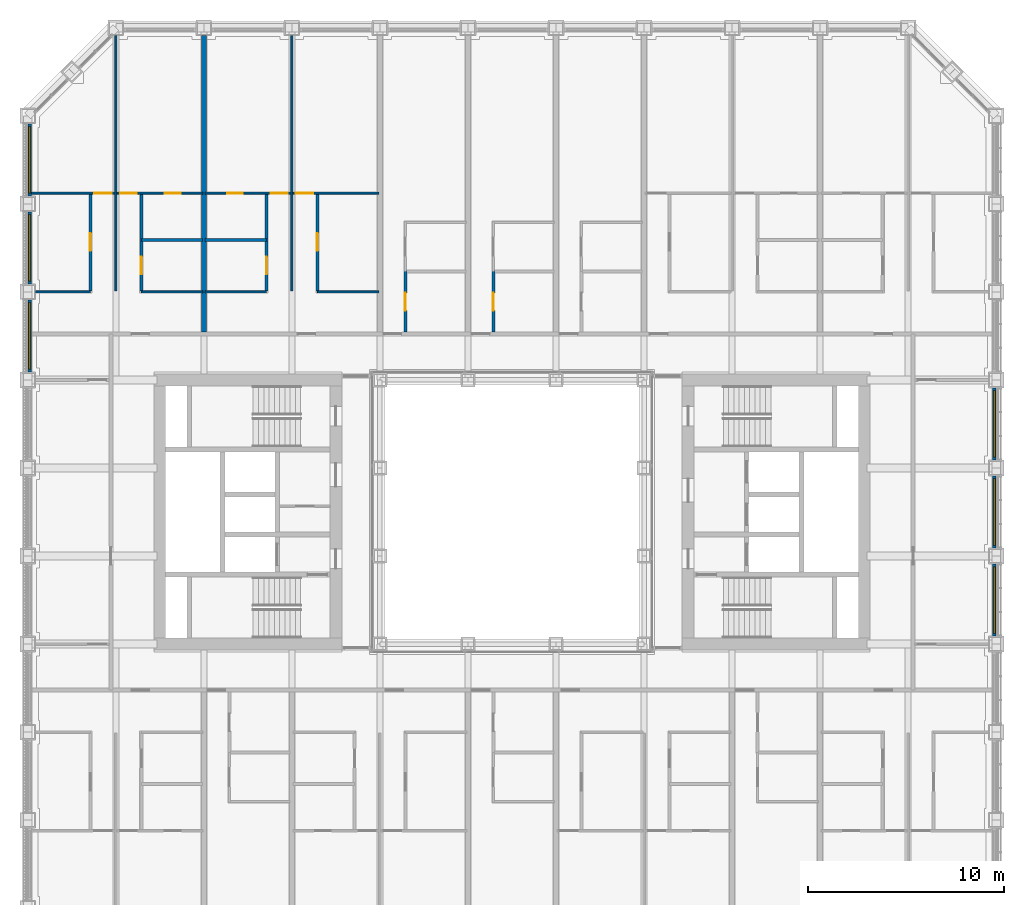
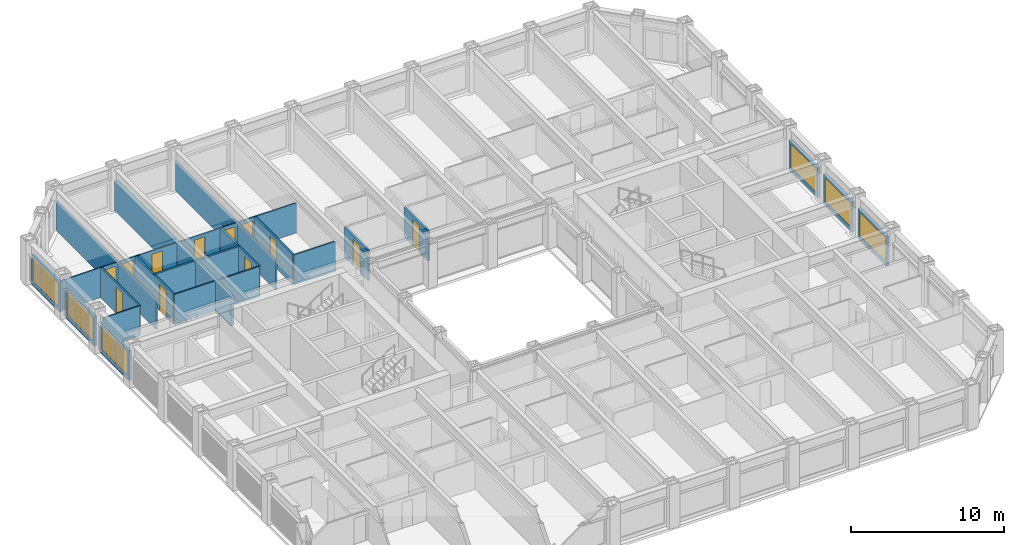
# One storey, part 13 of 21: 25 walls, 12 doors, 6 windows, 18 openings.
"""IFC4 building model written with IfcOpenShell, lengths in metres."""

from ifc_helpers import new_model, si_unit, direction, frame, frame_2d, origin, place, context, subcontext, project, spatial, rectangle, extrude, material, layer, layer_set, type_object, element, fill, save


model = new_model("IFC4")

# Units and contexts
model_context = context("Model", 3, precision=1e-05, world=origin(), true_north=direction((0.0, 1.0)))
body_context = subcontext(model_context, "Body", "Model", "MODEL_VIEW")
ifc_project = project(units=[si_unit("LENGTHUNIT", "METRE"), si_unit("AREAUNIT", "SQUARE_METRE"), si_unit("VOLUMEUNIT", "CUBIC_METRE"), si_unit("PLANEANGLEUNIT", "RADIAN"), si_unit("MASSUNIT", "GRAM", prefix="KILO")], contexts=[model_context])

# Site, building, storey
site_placement = place(None, origin())
site = spatial("IfcSite", under=ifc_project, at=site_placement, CompositionType="ELEMENT")
building_placement = place(site_placement, origin())
building = spatial("IfcBuilding", under=site, at=building_placement, Name="Msasa Ring Tower", CompositionType="ELEMENT")
storey_placement = place(building_placement, frame((0.0, 0.0, 37.0)))
storey = spatial("IfcBuildingStorey", under=building, at=storey_placement, Name="L08", CompositionType="ELEMENT", Elevation=37.0)

# Wall, opening, window
ifc_material_1 = material(Name="Terracotta rainscreen on blockwork", Category="masonry")
ifc_layer_1 = layer(ifc_material_1, 0.199951171875)
ifc_layer_set_1 = layer_set([ifc_layer_1], Name="FW1 TERRACOTTA-LINED INFILL BAY WALL 200")
wall_type_1 = type_object("IfcWallType", Name="FW1 TERRACOTTA-LINED INFILL BAY WALL 200", PredefinedType="SOLIDWALL", material=ifc_layer_set_1)
wall_1_placement = place(storey_placement, frame((24.64990234375, -6.344970703125, 0.0), z_axis=(0.0, 0.0, 1.0), x_axis=(0.0, 1.0, 0.0)))
wall_1 = element("IfcWall", 1, at=wall_1_placement, inside=storey, type_object=wall_type_1, Name="Infill bay wall E L08 14", PredefinedType="SOLIDWALL", context=body_context, shape_type="SweptSolid", body=[
    extrude(rectangle(XDim=3.68994140625, YDim=0.199951171875, at=frame_2d((1.844970703125, 0.0))), origin(), (0.0, 0.0, 1.0), 2.37890625),
])
opening_1_placement = place(wall_1_placement, frame((0.14501953125, 0.0, 0.300048828125)))
opening_1 = element("IfcOpeningElement", 2, at=opening_1_placement, cuts=wall_1, Name="Opening WN1", PredefinedType="OPENING", context=body_context, shape_type="SweptSolid", body=[
    extrude(rectangle(XDim=3.39990234375, YDim=1.928955078125, at=frame_2d((1.699951171875, 0.96435546875))), frame((0.0, 0.10986328125, 0.0), z_axis=(0.0, -1.0, 0.0), x_axis=(1.0, 0.0, 0.0)), (0.0, 0.0, 1.0), 0.219970703125),
])
ifc_material_2 = material(Name="Aluminium frame with clear glass", Category="aluminium")
window_type = type_object("IfcWindowType", Name="WN1 RESIDENCE WINDOW 3400x1929", PartitioningType="SINGLE_PANEL", PredefinedType="WINDOW", material=ifc_material_2)
window_1_placement = place(opening_1_placement, origin())
window_1 = element("IfcWindow", 3, at=window_1_placement, inside=storey, type_object=window_type, Name="Window E L08 14", OverallHeight=1.928955078125, OverallWidth=3.39990234375, PartitioningType="SINGLE_PANEL", PredefinedType="WINDOW", context=body_context, shape_type="SweptSolid", body=[
    extrude(rectangle(XDim=3.39990234375, YDim=1.928955078125, at=frame_2d((1.699951171875, 0.96435546875))), frame((0.0, 0.030029296875, 0.0), z_axis=(0.0, -1.0, 0.0), x_axis=(1.0, 0.0, 0.0)), (0.0, 0.0, 1.0), 0.06005859375),
])
fill(opening_1, window_1)

wall_2_placement = place(storey_placement, frame((24.64990234375, -1.844970703125, 0.0), z_axis=(0.0, 0.0, 1.0), x_axis=(0.0, 1.0, 0.0)))
wall_2 = element("IfcWall", 4, at=wall_2_placement, inside=storey, type_object=wall_type_1, Name="Infill bay wall E L08 15", PredefinedType="SOLIDWALL", context=body_context, shape_type="SweptSolid", body=[
    extrude(rectangle(XDim=3.68994140625, YDim=0.199951171875, at=frame_2d((1.844970703125, 0.0))), origin(), (0.0, 0.0, 1.0), 2.37890625),
])
opening_2_placement = place(wall_2_placement, frame((0.14501953125, 0.0, 0.300048828125)))
opening_2 = element("IfcOpeningElement", 5, at=opening_2_placement, cuts=wall_2, Name="Opening WN1", PredefinedType="OPENING", context=body_context, shape_type="SweptSolid", body=[
    extrude(rectangle(XDim=3.39990234375, YDim=1.928955078125, at=frame_2d((1.699951171875, 0.96435546875))), frame((0.0, 0.10986328125, 0.0), z_axis=(0.0, -1.0, 0.0), x_axis=(1.0, 0.0, 0.0)), (0.0, 0.0, 1.0), 0.219970703125),
])
window_2_placement = place(opening_2_placement, origin())
window_2 = element("IfcWindow", 6, at=window_2_placement, inside=storey, type_object=window_type, Name="Window E L08 15", OverallHeight=1.928955078125, OverallWidth=3.39990234375, PartitioningType="SINGLE_PANEL", PredefinedType="WINDOW", context=body_context, shape_type="SweptSolid", body=[
    extrude(rectangle(XDim=3.39990234375, YDim=1.928955078125, at=frame_2d((1.699951171875, 0.96435546875))), frame((0.0, 0.030029296875, 0.0), z_axis=(0.0, -1.0, 0.0), x_axis=(1.0, 0.0, 0.0)), (0.0, 0.0, 1.0), 0.06005859375),
])
fill(opening_2, window_2)

wall_3_placement = place(storey_placement, frame((24.64990234375, 2.655029296875, 0.0), z_axis=(0.0, 0.0, 1.0), x_axis=(0.0, 1.0, 0.0)))
wall_3 = element("IfcWall", 7, at=wall_3_placement, inside=storey, type_object=wall_type_1, Name="Infill bay wall E L08 16", PredefinedType="SOLIDWALL", context=body_context, shape_type="SweptSolid", body=[
    extrude(rectangle(XDim=3.68994140625, YDim=0.199951171875, at=frame_2d((1.844970703125, 0.0))), origin(), (0.0, 0.0, 1.0), 2.37890625),
])
opening_3_placement = place(wall_3_placement, frame((0.14501953125, 0.0, 0.300048828125)))
opening_3 = element("IfcOpeningElement", 8, at=opening_3_placement, cuts=wall_3, Name="Opening WN1", PredefinedType="OPENING", context=body_context, shape_type="SweptSolid", body=[
    extrude(rectangle(XDim=3.39990234375, YDim=1.928955078125, at=frame_2d((1.699951171875, 0.96435546875))), frame((0.0, 0.10986328125, 0.0), z_axis=(0.0, -1.0, 0.0), x_axis=(1.0, 0.0, 0.0)), (0.0, 0.0, 1.0), 0.219970703125),
])
window_3_placement = place(opening_3_placement, origin())
window_3 = element("IfcWindow", 9, at=window_3_placement, inside=storey, type_object=window_type, Name="Window E L08 16", OverallHeight=1.928955078125, OverallWidth=3.39990234375, PartitioningType="SINGLE_PANEL", PredefinedType="WINDOW", context=body_context, shape_type="SweptSolid", body=[
    extrude(rectangle(XDim=3.39990234375, YDim=1.928955078125, at=frame_2d((1.699951171875, 0.96435546875))), frame((0.0, 0.030029296875, 0.0), z_axis=(0.0, -1.0, 0.0), x_axis=(1.0, 0.0, 0.0)), (0.0, 0.0, 1.0), 0.06005859375),
])
fill(opening_3, window_3)

wall_4_placement = place(storey_placement, frame((-24.64990234375, 7.155029296875, 0.0), z_axis=(0.0, 0.0, 1.0), x_axis=(0.0, 1.0, 0.0)))
wall_4 = element("IfcWall", 10, at=wall_4_placement, inside=storey, type_object=wall_type_1, Name="Infill bay wall W L08 39", PredefinedType="SOLIDWALL", context=body_context, shape_type="SweptSolid", body=[
    extrude(rectangle(XDim=3.68994140625, YDim=0.199951171875, at=frame_2d((1.844970703125, 0.0))), origin(), (0.0, 0.0, 1.0), 2.37890625),
])
opening_4_placement = place(wall_4_placement, frame((0.14501953125, 0.0, 0.300048828125)))
opening_4 = element("IfcOpeningElement", 11, at=opening_4_placement, cuts=wall_4, Name="Opening WN1", PredefinedType="OPENING", context=body_context, shape_type="SweptSolid", body=[
    extrude(rectangle(XDim=3.39990234375, YDim=1.928955078125, at=frame_2d((1.699951171875, 0.96435546875))), frame((0.0, 0.10986328125, 0.0), z_axis=(0.0, -1.0, 0.0), x_axis=(1.0, 0.0, 0.0)), (0.0, 0.0, 1.0), 0.219970703125),
])
window_4_placement = place(opening_4_placement, origin())
window_4 = element("IfcWindow", 12, at=window_4_placement, inside=storey, type_object=window_type, Name="Window W L08 39", OverallHeight=1.928955078125, OverallWidth=3.39990234375, PartitioningType="SINGLE_PANEL", PredefinedType="WINDOW", context=body_context, shape_type="SweptSolid", body=[
    extrude(rectangle(XDim=3.39990234375, YDim=1.928955078125, at=frame_2d((1.699951171875, 0.96435546875))), frame((0.0, 0.030029296875, 0.0), z_axis=(0.0, -1.0, 0.0), x_axis=(1.0, 0.0, 0.0)), (0.0, 0.0, 1.0), 0.06005859375),
])
fill(opening_4, window_4)

wall_5_placement = place(storey_placement, frame((-24.64990234375, 11.655029296875, 0.0), z_axis=(0.0, 0.0, 1.0), x_axis=(0.0, 1.0, 0.0)))
wall_5 = element("IfcWall", 13, at=wall_5_placement, inside=storey, type_object=wall_type_1, Name="Infill bay wall W L08 40", PredefinedType="SOLIDWALL", context=body_context, shape_type="SweptSolid", body=[
    extrude(rectangle(XDim=3.68994140625, YDim=0.199951171875, at=frame_2d((1.844970703125, 0.0))), origin(), (0.0, 0.0, 1.0), 2.37890625),
])
opening_5_placement = place(wall_5_placement, frame((0.14501953125, 0.0, 0.300048828125)))
opening_5 = element("IfcOpeningElement", 14, at=opening_5_placement, cuts=wall_5, Name="Opening WN1", PredefinedType="OPENING", context=body_context, shape_type="SweptSolid", body=[
    extrude(rectangle(XDim=3.39990234375, YDim=1.928955078125, at=frame_2d((1.699951171875, 0.96435546875))), frame((0.0, 0.10986328125, 0.0), z_axis=(0.0, -1.0, 0.0), x_axis=(1.0, 0.0, 0.0)), (0.0, 0.0, 1.0), 0.219970703125),
])
window_5_placement = place(opening_5_placement, origin())
window_5 = element("IfcWindow", 15, at=window_5_placement, inside=storey, type_object=window_type, Name="Window W L08 40", OverallHeight=1.928955078125, OverallWidth=3.39990234375, PartitioningType="SINGLE_PANEL", PredefinedType="WINDOW", context=body_context, shape_type="SweptSolid", body=[
    extrude(rectangle(XDim=3.39990234375, YDim=1.928955078125, at=frame_2d((1.699951171875, 0.96435546875))), frame((0.0, 0.030029296875, 0.0), z_axis=(0.0, -1.0, 0.0), x_axis=(1.0, 0.0, 0.0)), (0.0, 0.0, 1.0), 0.06005859375),
])
fill(opening_5, window_5)

wall_6_placement = place(storey_placement, frame((-24.64990234375, 16.155029296875, 0.0), z_axis=(0.0, 0.0, 1.0), x_axis=(0.0, 1.0, 0.0)))
wall_6 = element("IfcWall", 16, at=wall_6_placement, inside=storey, type_object=wall_type_1, Name="Infill bay wall W L08 41", PredefinedType="SOLIDWALL", context=body_context, shape_type="SweptSolid", body=[
    extrude(rectangle(XDim=3.68994140625, YDim=0.199951171875, at=frame_2d((1.844970703125, 0.0))), origin(), (0.0, 0.0, 1.0), 2.37890625),
])
opening_6_placement = place(wall_6_placement, frame((0.14501953125, 0.0, 0.300048828125)))
opening_6 = element("IfcOpeningElement", 17, at=opening_6_placement, cuts=wall_6, Name="Opening WN1", PredefinedType="OPENING", context=body_context, shape_type="SweptSolid", body=[
    extrude(rectangle(XDim=3.39990234375, YDim=1.928955078125, at=frame_2d((1.699951171875, 0.96435546875))), frame((0.0, 0.10986328125, 0.0), z_axis=(0.0, -1.0, 0.0), x_axis=(1.0, 0.0, 0.0)), (0.0, 0.0, 1.0), 0.219970703125),
])
window_6_placement = place(opening_6_placement, origin())
window_6 = element("IfcWindow", 18, at=window_6_placement, inside=storey, type_object=window_type, Name="Window W L08 41", OverallHeight=1.928955078125, OverallWidth=3.39990234375, PartitioningType="SINGLE_PANEL", PredefinedType="WINDOW", context=body_context, shape_type="SweptSolid", body=[
    extrude(rectangle(XDim=3.39990234375, YDim=1.928955078125, at=frame_2d((1.699951171875, 0.96435546875))), frame((0.0, 0.030029296875, 0.0), z_axis=(0.0, -1.0, 0.0), x_axis=(1.0, 0.0, 0.0)), (0.0, 0.0, 1.0), 0.06005859375),
])
fill(opening_6, window_6)

# Wall
ifc_material_3 = material(Name="Gypsum board on steel studs", Category="steel")
ifc_layer_2 = layer(ifc_material_3, 0.10009765625)
ifc_layer_set_2 = layer_set([ifc_layer_2], Name="PT2 STUD PARTITION 100")
wall_type_2 = type_object("IfcWallType", Name="PT2 STUD PARTITION 100", PredefinedType="PARTITIONING", material=ifc_layer_set_2)
wall_7_placement = place(storey_placement, frame((-24.35009765625, 11.25, 0.0), z_axis=(0.0, 0.0, 1.0), x_axis=(1.0, 0.0, 0.0)))
element("IfcWall", 19, at=wall_7_placement, inside=storey, type_object=wall_type_2, Name="Partition L08-UN00HY0", PredefinedType="PARTITIONING", context=body_context, shape_type="SweptSolid", body=[
    extrude(rectangle(XDim=2.800048828125, YDim=0.10009765625, at=frame_2d((1.39990234375, 0.0))), origin(), (0.0, 0.0, 1.0), 2.373291015625),
])

# Wall, opening, door
wall_8_placement = place(storey_placement, frame((-24.550048828125, 16.300048828125, 0.0), z_axis=(0.0, 0.0, 1.0), x_axis=(1.0, 0.0, 0.0)))
wall_8 = element("IfcWall", 20, at=wall_8_placement, inside=storey, type_object=wall_type_2, Name="Partition L08-UN00SY0", PredefinedType="PARTITIONING", context=body_context, shape_type="SweptSolid", body=[
    extrude(rectangle(XDim=4.25, YDim=0.10009765625, at=frame_2d((2.125, 0.0))), origin(), (0.0, 0.0, 1.0), 2.373291015625),
])
opening_7_placement = place(wall_8_placement, frame((3.199951171875, 0.0, 0.0)))
opening_7 = element("IfcOpeningElement", 21, at=opening_7_placement, cuts=wall_8, Name="Opening RB-001", PredefinedType="OPENING", context=body_context, shape_type="SweptSolid", body=[
    extrude(rectangle(XDim=0.89990234375, YDim=2.10009765625, at=frame_2d((0.449951171875, 1.050048828125))), frame((0.0, 0.06005859375, 0.0), z_axis=(0.0, -1.0, 0.0), x_axis=(1.0, 0.0, 0.0)), (0.0, 0.0, 1.0), 0.1201171875),
])
ifc_material_4 = material(Name="Timber door leaf in a steel frame", Category="steel")
door_type_1 = type_object("IfcDoorType", Name="D22 INTERNAL HALL DOOR 900x2100", OperationType="SINGLE_SWING_LEFT", PredefinedType="DOOR", material=ifc_material_4)
door_1_placement = place(opening_7_placement, origin())
door_1 = element("IfcDoor", 22, at=door_1_placement, inside=storey, type_object=door_type_1, Name="Door L08-UN00L", OperationType="SINGLE_SWING_RIGHT", OverallHeight=2.10009765625, OverallWidth=0.89990234375, PredefinedType="DOOR", context=body_context, shape_type="SweptSolid", body=[
    extrude(rectangle(XDim=0.89990234375, YDim=2.10009765625, at=frame_2d((0.449951171875, 1.050048828125))), frame((0.0, 0.02490234375, 0.0), z_axis=(0.0, -1.0, 0.0), x_axis=(1.0, 0.0, 0.0)), (0.0, 0.0, 1.0), 0.050048828125),
])
fill(opening_7, door_1)

# Walls
wall_9_placement = place(storey_placement, frame((-20.25, 11.300048828125, 0.0), z_axis=(0.0, 0.0, 1.0), x_axis=(0.0, 1.0, 0.0)))
element("IfcWall", 23, at=wall_9_placement, inside=storey, type_object=wall_type_2, Name="Partition L08-UN00P1", PredefinedType="PARTITIONING", context=body_context, shape_type="SweptSolid", body=[
    extrude(rectangle(XDim=13.050048828125, YDim=0.10009765625, at=frame_2d((6.52490234375, 0.0))), origin(), (0.0, 0.0, 1.0), 2.373291015625),
])
wall_10_placement = place(storey_placement, frame((-18.949951171875, 11.25, 0.0), z_axis=(0.0, 0.0, 1.0), x_axis=(1.0, 0.0, 0.0)))
element("IfcWall", 24, at=wall_10_placement, inside=storey, type_object=wall_type_2, Name="Partition L08-UN00HY1", PredefinedType="PARTITIONING", context=body_context, shape_type="SweptSolid", body=[
    extrude(rectangle(XDim=3.139892578125, YDim=0.10009765625, at=frame_2d((1.56982421875, 0.0))), origin(), (0.0, 0.0, 1.0), 2.373291015625),
])

# Wall, openings, doors
wall_11_placement = place(storey_placement, frame((-20.199951171875, 16.300048828125, 0.0), z_axis=(0.0, 0.0, 1.0), x_axis=(1.0, 0.0, 0.0)))
wall_11 = element("IfcWall", 25, at=wall_11_placement, inside=storey, type_object=wall_type_2, Name="Partition L08-UN00SY1", PredefinedType="PARTITIONING", context=body_context, shape_type="SweptSolid", body=[
    extrude(rectangle(XDim=4.389892578125, YDim=0.10009765625, at=frame_2d((2.19482421875, 0.0))), origin(), (0.0, 0.0, 1.0), 2.373291015625),
])
opening_8_placement = place(wall_11_placement, frame((0.175048828125, 0.0, 0.0)))
opening_8 = element("IfcOpeningElement", 26, at=opening_8_placement, cuts=wall_11, Name="Opening RB-002", PredefinedType="OPENING", context=body_context, shape_type="SweptSolid", body=[
    extrude(rectangle(XDim=0.85009765625, YDim=2.10009765625, at=frame_2d((0.425048828125, 1.050048828125))), frame((0.0, 0.06005859375, 0.0), z_axis=(0.0, -1.0, 0.0), x_axis=(1.0, 0.0, 0.0)), (0.0, 0.0, 1.0), 0.1201171875),
])
opening_9_placement = place(wall_11_placement, frame((2.4599609375, 0.0, 0.0)))
opening_9 = element("IfcOpeningElement", 27, at=opening_9_placement, cuts=wall_11, Name="Opening RB-003", PredefinedType="OPENING", context=body_context, shape_type="SweptSolid", body=[
    extrude(rectangle(XDim=0.800048828125, YDim=2.10009765625, at=frame_2d((0.39990234375, 1.050048828125))), frame((0.0, 0.06005859375, 0.0), z_axis=(0.0, -1.0, 0.0), x_axis=(1.0, 0.0, 0.0)), (0.0, 0.0, 1.0), 0.1201171875),
])
ifc_material_5 = material(Name="Timber door leaf in a steel frame", Category="steel")
door_type_2 = type_object("IfcDoorType", Name="D14 BEDROOM DOOR 850x2100", OperationType="SINGLE_SWING_LEFT", PredefinedType="DOOR", material=ifc_material_5)
door_2_placement = place(opening_8_placement, origin())
door_2 = element("IfcDoor", 28, at=door_2_placement, inside=storey, type_object=door_type_2, Name="Door L08-UN00R1", OperationType="SINGLE_SWING_LEFT", OverallHeight=2.10009765625, OverallWidth=0.85009765625, PredefinedType="DOOR", context=body_context, shape_type="SweptSolid", body=[
    extrude(rectangle(XDim=0.85009765625, YDim=2.10009765625, at=frame_2d((0.425048828125, 1.050048828125))), frame((0.0, 0.02490234375, 0.0), z_axis=(0.0, -1.0, 0.0), x_axis=(1.0, 0.0, 0.0)), (0.0, 0.0, 1.0), 0.050048828125),
])
fill(opening_8, door_2)
ifc_material_6 = material(Name="Timber door leaf in a steel frame", Category="steel")
door_type_3 = type_object("IfcDoorType", Name="D60 DRESSING ROOM DOOR 800x2100", OperationType="SINGLE_SWING_LEFT", PredefinedType="DOOR", material=ifc_material_6)
door_3_placement = place(opening_9_placement, origin())
door_3 = element("IfcDoor", 29, at=door_3_placement, inside=storey, type_object=door_type_3, Name="Door L08-UN00W1", OperationType="SINGLE_SWING_RIGHT", OverallHeight=2.10009765625, OverallWidth=0.800048828125, PredefinedType="DOOR", context=body_context, shape_type="SweptSolid", body=[
    extrude(rectangle(XDim=0.800048828125, YDim=2.10009765625, at=frame_2d((0.39990234375, 1.050048828125))), frame((0.0, 0.02490234375, 0.0), z_axis=(0.0, -1.0, 0.0), x_axis=(1.0, 0.0, 0.0)), (0.0, 0.0, 1.0), 0.050048828125),
])
fill(opening_9, door_3)

# Wall
wall_12_placement = place(storey_placement, frame((-9.949951171875, 11.25, 0.0), z_axis=(0.0, 0.0, 1.0), x_axis=(1.0, 0.0, 0.0)))
element("IfcWall", 30, at=wall_12_placement, inside=storey, type_object=wall_type_2, Name="Partition L08-UN01HY0", PredefinedType="PARTITIONING", context=body_context, shape_type="SweptSolid", body=[
    extrude(rectangle(XDim=3.139892578125, YDim=0.10009765625, at=frame_2d((1.56982421875, 0.0))), origin(), (0.0, 0.0, 1.0), 2.373291015625),
])

# Wall, opening, door
wall_13_placement = place(storey_placement, frame((-11.199951171875, 16.300048828125, 0.0), z_axis=(0.0, 0.0, 1.0), x_axis=(1.0, 0.0, 0.0)))
wall_13 = element("IfcWall", 31, at=wall_13_placement, inside=storey, type_object=wall_type_2, Name="Partition L08-UN01SY0", PredefinedType="PARTITIONING", context=body_context, shape_type="SweptSolid", body=[
    extrude(rectangle(XDim=4.389892578125, YDim=0.10009765625, at=frame_2d((2.19482421875, 0.0))), origin(), (0.0, 0.0, 1.0), 2.373291015625),
])
opening_10_placement = place(wall_13_placement, frame((0.14990234375, 0.0, 0.0)))
opening_10 = element("IfcOpeningElement", 32, at=opening_10_placement, cuts=wall_13, Name="Opening RB-006", PredefinedType="OPENING", context=body_context, shape_type="SweptSolid", body=[
    extrude(rectangle(XDim=0.89990234375, YDim=2.10009765625, at=frame_2d((0.449951171875, 1.050048828125))), frame((0.0, 0.06005859375, 0.0), z_axis=(0.0, -1.0, 0.0), x_axis=(1.0, 0.0, 0.0)), (0.0, 0.0, 1.0), 0.1201171875),
])
door_4_placement = place(opening_10_placement, origin())
door_4 = element("IfcDoor", 33, at=door_4_placement, inside=storey, type_object=door_type_1, Name="Door L08-UN01L", OperationType="SINGLE_SWING_LEFT", OverallHeight=2.10009765625, OverallWidth=0.89990234375, PredefinedType="DOOR", context=body_context, shape_type="SweptSolid", body=[
    extrude(rectangle(XDim=0.89990234375, YDim=2.10009765625, at=frame_2d((0.449951171875, 1.050048828125))), frame((0.0, 0.02490234375, 0.0), z_axis=(0.0, -1.0, 0.0), x_axis=(1.0, 0.0, 0.0)), (0.0, 0.0, 1.0), 0.050048828125),
])
fill(opening_10, door_4)

# Walls
wall_14_placement = place(storey_placement, frame((-11.25, 11.300048828125, 0.0), z_axis=(0.0, 0.0, 1.0), x_axis=(0.0, 1.0, 0.0)))
element("IfcWall", 34, at=wall_14_placement, inside=storey, type_object=wall_type_2, Name="Partition L08-UN01P1", PredefinedType="PARTITIONING", context=body_context, shape_type="SweptSolid", body=[
    extrude(rectangle(XDim=13.050048828125, YDim=0.10009765625, at=frame_2d((6.52490234375, 0.0))), origin(), (0.0, 0.0, 1.0), 2.373291015625),
])
wall_15_placement = place(storey_placement, frame((-15.68994140625, 11.25, 0.0), z_axis=(0.0, 0.0, 1.0), x_axis=(1.0, 0.0, 0.0)))
element("IfcWall", 35, at=wall_15_placement, inside=storey, type_object=wall_type_2, Name="Partition L08-UN01HY1", PredefinedType="PARTITIONING", context=body_context, shape_type="SweptSolid", body=[
    extrude(rectangle(XDim=3.139892578125, YDim=0.10009765625, at=frame_2d((1.56982421875, 0.0))), origin(), (0.0, 0.0, 1.0), 2.373291015625),
])

# Wall, openings, doors
wall_16_placement = place(storey_placement, frame((-15.68994140625, 16.300048828125, 0.0), z_axis=(0.0, 0.0, 1.0), x_axis=(1.0, 0.0, 0.0)))
wall_16 = element("IfcWall", 36, at=wall_16_placement, inside=storey, type_object=wall_type_2, Name="Partition L08-UN01SY1", PredefinedType="PARTITIONING", context=body_context, shape_type="SweptSolid", body=[
    extrude(rectangle(XDim=4.389892578125, YDim=0.10009765625, at=frame_2d((2.19482421875, 0.0))), origin(), (0.0, 0.0, 1.0), 2.373291015625),
])
opening_11_placement = place(wall_16_placement, frame((3.364990234375, 0.0, 0.0)))
opening_11 = element("IfcOpeningElement", 37, at=opening_11_placement, cuts=wall_16, Name="Opening RB-005", PredefinedType="OPENING", context=body_context, shape_type="SweptSolid", body=[
    extrude(rectangle(XDim=0.85009765625, YDim=2.10009765625, at=frame_2d((0.425048828125, 1.050048828125))), frame((0.0, 0.06005859375, 0.0), z_axis=(0.0, -1.0, 0.0), x_axis=(1.0, 0.0, 0.0)), (0.0, 0.0, 1.0), 0.1201171875),
])
opening_12_placement = place(wall_16_placement, frame((1.1298828125, 0.0, 0.0)))
opening_12 = element("IfcOpeningElement", 38, at=opening_12_placement, cuts=wall_16, Name="Opening RB-004", PredefinedType="OPENING", context=body_context, shape_type="SweptSolid", body=[
    extrude(rectangle(XDim=0.800048828125, YDim=2.10009765625, at=frame_2d((0.39990234375, 1.050048828125))), frame((0.0, 0.06005859375, 0.0), z_axis=(0.0, -1.0, 0.0), x_axis=(1.0, 0.0, 0.0)), (0.0, 0.0, 1.0), 0.1201171875),
])
door_5_placement = place(opening_11_placement, origin())
door_5 = element("IfcDoor", 39, at=door_5_placement, inside=storey, type_object=door_type_2, Name="Door L08-UN01R1", OperationType="SINGLE_SWING_RIGHT", OverallHeight=2.10009765625, OverallWidth=0.85009765625, PredefinedType="DOOR", context=body_context, shape_type="SweptSolid", body=[
    extrude(rectangle(XDim=0.85009765625, YDim=2.10009765625, at=frame_2d((0.425048828125, 1.050048828125))), frame((0.0, 0.02490234375, 0.0), z_axis=(0.0, -1.0, 0.0), x_axis=(1.0, 0.0, 0.0)), (0.0, 0.0, 1.0), 0.050048828125),
])
fill(opening_11, door_5)
door_6_placement = place(opening_12_placement, origin())
door_6 = element("IfcDoor", 40, at=door_6_placement, inside=storey, type_object=door_type_3, Name="Door L08-UN01W1", OperationType="SINGLE_SWING_LEFT", OverallHeight=2.10009765625, OverallWidth=0.800048828125, PredefinedType="DOOR", context=body_context, shape_type="SweptSolid", body=[
    extrude(rectangle(XDim=0.800048828125, YDim=2.10009765625, at=frame_2d((0.39990234375, 1.050048828125))), frame((0.0, 0.02490234375, 0.0), z_axis=(0.0, -1.0, 0.0), x_axis=(1.0, 0.0, 0.0)), (0.0, 0.0, 1.0), 0.050048828125),
])
fill(opening_12, door_6)

# Wall
ifc_material_7 = material(Name="Dense concrete blockwork, plastered both faces", Category="masonry")
ifc_layer_3 = layer(ifc_material_7, 0.25)
ifc_layer_set_3 = layer_set([ifc_layer_3], Name="PT3 APARTMENT SEPARATING WALL 250")
wall_type_3 = type_object("IfcWallType", Name="PT3 APARTMENT SEPARATING WALL 250", PredefinedType="PARTITIONING", material=ifc_layer_set_3)
wall_17_placement = place(storey_placement, frame((-15.75, 9.199951171875, 0.0), z_axis=(0.0, 0.0, 1.0), x_axis=(0.0, 1.0, 0.0)))
element("IfcWall", 41, at=wall_17_placement, inside=storey, type_object=wall_type_3, Name="Party wall L08-PWN-15.75", PredefinedType="PARTITIONING", context=body_context, shape_type="SweptSolid", body=[
    extrude(rectangle(XDim=15.150146484375, YDim=0.25, at=frame_2d((7.5751953125, 0.0))), origin(), (0.0, 0.0, 1.0), 2.373291015625),
])

# Wall, opening, door
ifc_material_8 = material(Name="Moisture-resistant board on steel studs with a concealed cistern and pipe void, tiled", Category="steel")
ifc_layer_4 = layer(ifc_material_8, 0.14990234375)
ifc_layer_set_4 = layer_set([ifc_layer_4], Name="PT4 BATHROOM WET WALL 150")
wall_type_4 = type_object("IfcWallType", Name="PT4 BATHROOM WET WALL 150", PredefinedType="PARTITIONING", material=ifc_layer_set_4)
wall_18_placement = place(storey_placement, frame((-21.550048828125, 11.300048828125, 0.0), z_axis=(0.0, 0.0, 1.0), x_axis=(0.0, 1.0, 0.0)))
wall_18 = element("IfcWall", 42, at=wall_18_placement, inside=storey, type_object=wall_type_4, Name="Partition L08-UN00SX0", PredefinedType="PARTITIONING", context=body_context, shape_type="SweptSolid", body=[
    extrude(rectangle(XDim=5.0, YDim=0.14990234375, at=frame_2d((2.5, 0.0))), origin(), (0.0, 0.0, 1.0), 2.373291015625),
])
opening_13_placement = place(wall_18_placement, frame((2.050048828125, 0.0, 0.0)))
opening_13 = element("IfcOpeningElement", 43, at=opening_13_placement, cuts=wall_18, Name="Opening RB-013", PredefinedType="OPENING", context=body_context, shape_type="SweptSolid", body=[
    extrude(rectangle(XDim=0.89990234375, YDim=2.10009765625, at=frame_2d((0.449951171875, 1.050048828125))), frame((0.0, 0.0849609375, 0.0), z_axis=(0.0, -1.0, 0.0), x_axis=(1.0, 0.0, 0.0)), (0.0, 0.0, 1.0), 0.169921875),
])
door_7_placement = place(opening_13_placement, origin())
door_7 = element("IfcDoor", 44, at=door_7_placement, inside=storey, type_object=door_type_1, Name="Door L08-UN00K", OperationType="SINGLE_SWING_LEFT", OverallHeight=2.10009765625, OverallWidth=0.89990234375, PredefinedType="DOOR", context=body_context, shape_type="SweptSolid", body=[
    extrude(rectangle(XDim=0.89990234375, YDim=2.10009765625, at=frame_2d((0.449951171875, 1.050048828125))), frame((0.0, 0.02490234375, 0.0), z_axis=(0.0, -1.0, 0.0), x_axis=(1.0, 0.0, 0.0)), (0.0, 0.0, 1.0), 0.050048828125),
])
fill(opening_13, door_7)

wall_19_placement = place(storey_placement, frame((-18.949951171875, 11.300048828125, 0.0), z_axis=(0.0, 0.0, 1.0), x_axis=(0.0, 1.0, 0.0)))
wall_19 = element("IfcWall", 45, at=wall_19_placement, inside=storey, type_object=wall_type_4, Name="Partition L08-UN00SX1", PredefinedType="PARTITIONING", context=body_context, shape_type="SweptSolid", body=[
    extrude(rectangle(XDim=5.0, YDim=0.14990234375, at=frame_2d((2.5, 0.0))), origin(), (0.0, 0.0, 1.0), 2.373291015625),
])
opening_14_placement = place(wall_19_placement, frame((0.85009765625, 0.0, 0.0)))
opening_14 = element("IfcOpeningElement", 46, at=opening_14_placement, cuts=wall_19, Name="Opening RB-020", PredefinedType="OPENING", context=body_context, shape_type="SweptSolid", body=[
    extrude(rectangle(XDim=0.89990234375, YDim=2.10009765625, at=frame_2d((0.449951171875, 1.050048828125))), frame((0.0, 0.0849609375, 0.0), z_axis=(0.0, -1.0, 0.0), x_axis=(1.0, 0.0, 0.0)), (0.0, 0.0, 1.0), 0.169921875),
])
ifc_material_9 = material(Name="Timber door leaf in a steel frame", Category="steel")
door_type_4 = type_object("IfcDoorType", Name="D3 BATHROOM DOOR 900x2100", OperationType="SINGLE_SWING_LEFT", PredefinedType="DOOR", material=ifc_material_9)
door_8_placement = place(opening_14_placement, origin())
door_8 = element("IfcDoor", 47, at=door_8_placement, inside=storey, type_object=door_type_4, Name="Door L08-UN00B1", OperationType="SINGLE_SWING_LEFT", OverallHeight=2.10009765625, OverallWidth=0.89990234375, PredefinedType="DOOR", context=body_context, shape_type="SweptSolid", body=[
    extrude(rectangle(XDim=0.89990234375, YDim=2.10009765625, at=frame_2d((0.449951171875, 1.050048828125))), frame((0.0, 0.02490234375, 0.0), z_axis=(0.0, -1.0, 0.0), x_axis=(1.0, 0.0, 0.0)), (0.0, 0.0, 1.0), 0.050048828125),
])
fill(opening_14, door_8)

# Wall
wall_20_placement = place(storey_placement, frame((-18.949951171875, 13.89990234375, 0.0), z_axis=(0.0, 0.0, 1.0), x_axis=(1.0, 0.0, 0.0)))
element("IfcWall", 48, at=wall_20_placement, inside=storey, type_object=wall_type_4, Name="Partition L08-UN00SB1", PredefinedType="PARTITIONING", context=body_context, shape_type="SweptSolid", body=[
    extrude(rectangle(XDim=3.139892578125, YDim=0.14990234375, at=frame_2d((1.56982421875, 0.0))), origin(), (0.0, 0.0, 1.0), 2.373291015625),
])

# Wall, opening, door
wall_21_placement = place(storey_placement, frame((-9.949951171875, 11.300048828125, 0.0), z_axis=(0.0, 0.0, 1.0), x_axis=(0.0, 1.0, 0.0)))
wall_21 = element("IfcWall", 49, at=wall_21_placement, inside=storey, type_object=wall_type_4, Name="Partition L08-UN01SX0", PredefinedType="PARTITIONING", context=body_context, shape_type="SweptSolid", body=[
    extrude(rectangle(XDim=5.0, YDim=0.14990234375, at=frame_2d((2.5, 0.0))), origin(), (0.0, 0.0, 1.0), 2.373291015625),
])
opening_15_placement = place(wall_21_placement, frame((2.050048828125, 0.0, 0.0)))
opening_15 = element("IfcOpeningElement", 50, at=opening_15_placement, cuts=wall_21, Name="Opening RB-014", PredefinedType="OPENING", context=body_context, shape_type="SweptSolid", body=[
    extrude(rectangle(XDim=0.89990234375, YDim=2.10009765625, at=frame_2d((0.449951171875, 1.050048828125))), frame((0.0, 0.0849609375, 0.0), z_axis=(0.0, -1.0, 0.0), x_axis=(1.0, 0.0, 0.0)), (0.0, 0.0, 1.0), 0.169921875),
])
door_9_placement = place(opening_15_placement, origin())
door_9 = element("IfcDoor", 51, at=door_9_placement, inside=storey, type_object=door_type_1, Name="Door L08-UN01K", OperationType="SINGLE_SWING_LEFT", OverallHeight=2.10009765625, OverallWidth=0.89990234375, PredefinedType="DOOR", context=body_context, shape_type="SweptSolid", body=[
    extrude(rectangle(XDim=0.89990234375, YDim=2.10009765625, at=frame_2d((0.449951171875, 1.050048828125))), frame((0.0, 0.02490234375, 0.0), z_axis=(0.0, -1.0, 0.0), x_axis=(1.0, 0.0, 0.0)), (0.0, 0.0, 1.0), 0.050048828125),
])
fill(opening_15, door_9)

wall_22_placement = place(storey_placement, frame((-12.550048828125, 11.300048828125, 0.0), z_axis=(0.0, 0.0, 1.0), x_axis=(0.0, 1.0, 0.0)))
wall_22 = element("IfcWall", 52, at=wall_22_placement, inside=storey, type_object=wall_type_4, Name="Partition L08-UN01SX1", PredefinedType="PARTITIONING", context=body_context, shape_type="SweptSolid", body=[
    extrude(rectangle(XDim=5.0, YDim=0.14990234375, at=frame_2d((2.5, 0.0))), origin(), (0.0, 0.0, 1.0), 2.373291015625),
])
opening_16_placement = place(wall_22_placement, frame((0.85009765625, 0.0, 0.0)))
opening_16 = element("IfcOpeningElement", 53, at=opening_16_placement, cuts=wall_22, Name="Opening RB-021", PredefinedType="OPENING", context=body_context, shape_type="SweptSolid", body=[
    extrude(rectangle(XDim=0.89990234375, YDim=2.10009765625, at=frame_2d((0.449951171875, 1.050048828125))), frame((0.0, 0.0849609375, 0.0), z_axis=(0.0, -1.0, 0.0), x_axis=(1.0, 0.0, 0.0)), (0.0, 0.0, 1.0), 0.169921875),
])
door_10_placement = place(opening_16_placement, origin())
door_10 = element("IfcDoor", 54, at=door_10_placement, inside=storey, type_object=door_type_4, Name="Door L08-UN01B1", OperationType="SINGLE_SWING_LEFT", OverallHeight=2.10009765625, OverallWidth=0.89990234375, PredefinedType="DOOR", context=body_context, shape_type="SweptSolid", body=[
    extrude(rectangle(XDim=0.89990234375, YDim=2.10009765625, at=frame_2d((0.449951171875, 1.050048828125))), frame((0.0, 0.02490234375, 0.0), z_axis=(0.0, -1.0, 0.0), x_axis=(1.0, 0.0, 0.0)), (0.0, 0.0, 1.0), 0.050048828125),
])
fill(opening_16, door_10)

# Wall
wall_23_placement = place(storey_placement, frame((-15.68994140625, 13.89990234375, 0.0), z_axis=(0.0, 0.0, 1.0), x_axis=(1.0, 0.0, 0.0)))
element("IfcWall", 55, at=wall_23_placement, inside=storey, type_object=wall_type_4, Name="Partition L08-UN01SB1", PredefinedType="PARTITIONING", context=body_context, shape_type="SweptSolid", body=[
    extrude(rectangle(XDim=3.139892578125, YDim=0.14990234375, at=frame_2d((1.56982421875, 0.0))), origin(), (0.0, 0.0, 1.0), 2.373291015625),
])

# Wall, opening, door
wall_24_placement = place(storey_placement, frame((-5.449951171875, 9.199951171875, 0.0), z_axis=(0.0, 0.0, 1.0), x_axis=(0.0, 1.0, 0.0)))
wall_24 = element("IfcWall", 56, at=wall_24_placement, inside=storey, type_object=wall_type_4, Name="Partition L08-UN02BX", PredefinedType="PARTITIONING", context=body_context, shape_type="SweptSolid", body=[
    extrude(rectangle(XDim=3.150146484375, YDim=0.14990234375, at=frame_2d((1.5751953125, 0.0))), origin(), (0.0, 0.0, 1.0), 2.373291015625),
])
opening_17_placement = place(wall_24_placement, frame((1.10009765625, 0.0, 0.0)))
opening_17 = element("IfcOpeningElement", 57, at=opening_17_placement, cuts=wall_24, Name="Opening RB-024", PredefinedType="OPENING", context=body_context, shape_type="SweptSolid", body=[
    extrude(rectangle(XDim=0.89990234375, YDim=2.10009765625, at=frame_2d((0.449951171875, 1.050048828125))), frame((0.0, 0.0849609375, 0.0), z_axis=(0.0, -1.0, 0.0), x_axis=(1.0, 0.0, 0.0)), (0.0, 0.0, 1.0), 0.169921875),
])
door_11_placement = place(opening_17_placement, origin())
door_11 = element("IfcDoor", 58, at=door_11_placement, inside=storey, type_object=door_type_4, Name="Door L08-UN02B", OperationType="SINGLE_SWING_LEFT", OverallHeight=2.10009765625, OverallWidth=0.89990234375, PredefinedType="DOOR", context=body_context, shape_type="SweptSolid", body=[
    extrude(rectangle(XDim=0.89990234375, YDim=2.10009765625, at=frame_2d((0.449951171875, 1.050048828125))), frame((0.0, 0.02490234375, 0.0), z_axis=(0.0, -1.0, 0.0), x_axis=(1.0, 0.0, 0.0)), (0.0, 0.0, 1.0), 0.050048828125),
])
fill(opening_17, door_11)

wall_25_placement = place(storey_placement, frame((-0.949951171875, 9.199951171875, 0.0), z_axis=(0.0, 0.0, 1.0), x_axis=(0.0, 1.0, 0.0)))
wall_25 = element("IfcWall", 59, at=wall_25_placement, inside=storey, type_object=wall_type_4, Name="Partition L08-UN03BX", PredefinedType="PARTITIONING", context=body_context, shape_type="SweptSolid", body=[
    extrude(rectangle(XDim=3.150146484375, YDim=0.14990234375, at=frame_2d((1.5751953125, 0.0))), origin(), (0.0, 0.0, 1.0), 2.373291015625),
])
opening_18_placement = place(wall_25_placement, frame((1.10009765625, 0.0, 0.0)))
opening_18 = element("IfcOpeningElement", 60, at=opening_18_placement, cuts=wall_25, Name="Opening RB-025", PredefinedType="OPENING", context=body_context, shape_type="SweptSolid", body=[
    extrude(rectangle(XDim=0.89990234375, YDim=2.10009765625, at=frame_2d((0.449951171875, 1.050048828125))), frame((0.0, 0.0849609375, 0.0), z_axis=(0.0, -1.0, 0.0), x_axis=(1.0, 0.0, 0.0)), (0.0, 0.0, 1.0), 0.169921875),
])
door_12_placement = place(opening_18_placement, origin())
door_12 = element("IfcDoor", 61, at=door_12_placement, inside=storey, type_object=door_type_4, Name="Door L08-UN03B", OperationType="SINGLE_SWING_LEFT", OverallHeight=2.10009765625, OverallWidth=0.89990234375, PredefinedType="DOOR", context=body_context, shape_type="SweptSolid", body=[
    extrude(rectangle(XDim=0.89990234375, YDim=2.10009765625, at=frame_2d((0.449951171875, 1.050048828125))), frame((0.0, 0.02490234375, 0.0), z_axis=(0.0, -1.0, 0.0), x_axis=(1.0, 0.0, 0.0)), (0.0, 0.0, 1.0), 0.050048828125),
])
fill(opening_18, door_12)

save(model, "model.ifc")
